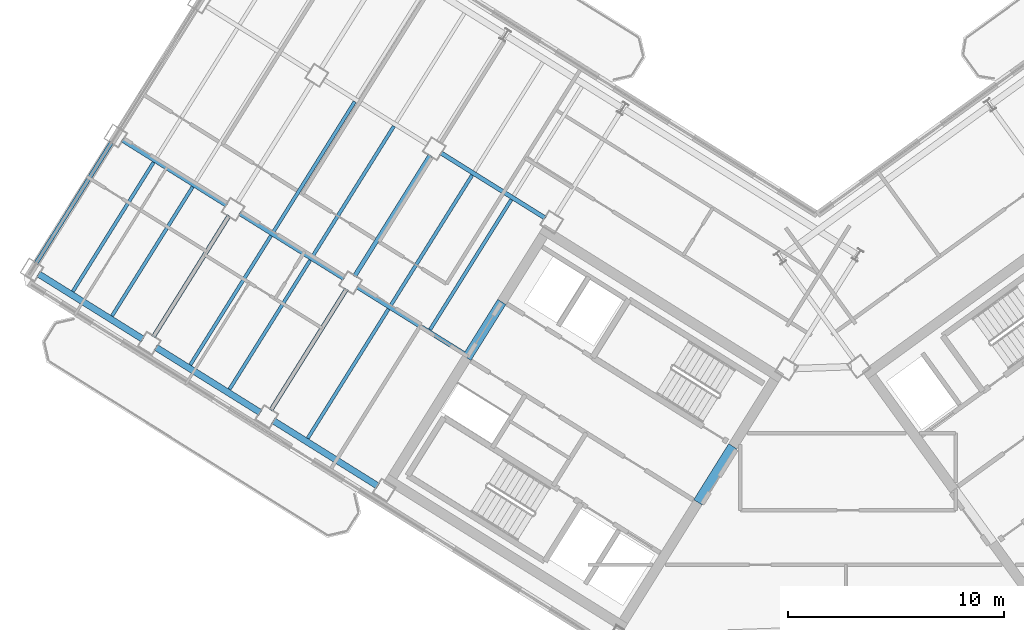
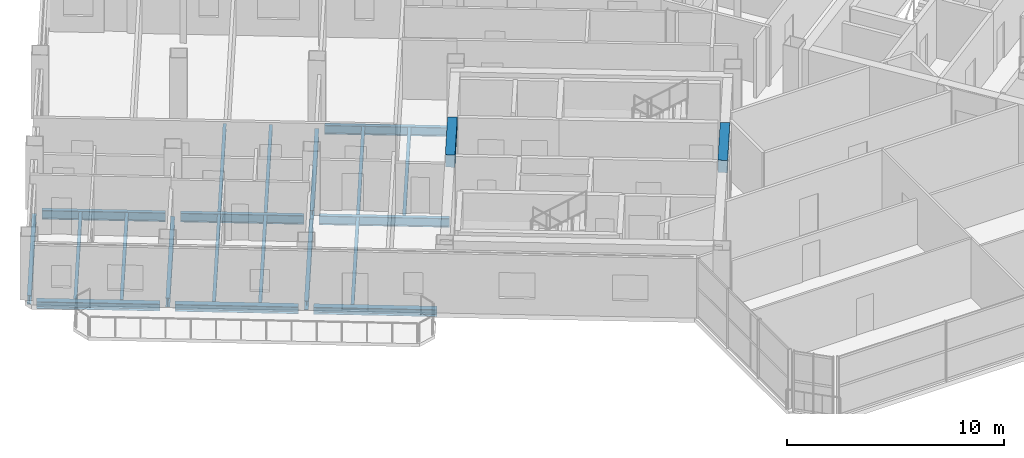
# One storey, part 5 of 21: 22 beams.
"""IFC4 building model written with IfcOpenShell, lengths in metres."""

from ifc_helpers import new_model, si_unit, direction, frame, origin, origin_2d, place, context, subcontext, project, spatial, rectangle, i_section, extrude, source, transform, mapped, material, material_profile, profile_set, type_object, element, save


model = new_model("IFC4")

# Units and contexts
model_context = context("Model", 3, precision=1e-05, world=origin(), true_north=direction((0.0, 1.0)))
body_context = subcontext(model_context, "Body", "Model", "MODEL_VIEW")
ifc_project = project(units=[si_unit("LENGTHUNIT", "METRE"), si_unit("AREAUNIT", "SQUARE_METRE"), si_unit("VOLUMEUNIT", "CUBIC_METRE"), si_unit("PLANEANGLEUNIT", "RADIAN"), si_unit("MASSUNIT", "GRAM", prefix="KILO")], contexts=[model_context])

# Site, building, storey
site_placement = place(None, origin())
site = spatial("IfcSite", under=ifc_project, at=site_placement, CompositionType="ELEMENT")
building_placement = place(site_placement, origin())
building = spatial("IfcBuilding", under=site, at=building_placement, Name="Tlacorven Tower", CompositionType="ELEMENT")
storey_placement = place(building_placement, frame((0.0, 0.0, 207.60009765625)))
storey = spatial("IfcBuildingStorey", under=building, at=storey_placement, Name="L52", CompositionType="ELEMENT", Elevation=207.60009765625)

# Beams
ifc_material_1 = material(Name="Concrete C60/75", Category="concrete")
ifc_material_profile_1 = material_profile(ifc_material_1, rectangle(XDim=0.449951171875, YDim=0.699951171875, at=origin_2d()), Name="RC 450X700")
ifc_profile_set_1 = profile_set([ifc_material_profile_1], Name="Concrete C60/75")
beam_type_1 = type_object("IfcBeamType", Name="BM-LNT-700", PredefinedType="LINTEL", material=ifc_profile_set_1)
shared_shape_1 = source(origin(), body_context, "Body", "SweptSolid", [
    extrude(rectangle(XDim=0.449951171875, YDim=0.699951171875, at=origin_2d()), origin(), (0.0, 0.0, 1.0), 3.050048828125),
])
beam_1_placement = place(storey_placement, frame((38.2998046875, 20.890625, 3.0), z_axis=(-0.529984549635, -0.848007297815, 0.0), x_axis=(0.848007297815, -0.529984549635, 0.0)))
element("IfcBeam", 1, at=beam_1_placement, inside=storey, type_object=beam_type_1, Name="L52 W core coupling lintel beam E1", PredefinedType="LINTEL", context=body_context, shape_type="MappedRepresentation", body=[
    mapped(shared_shape_1, transform((0.0, 0.0, 0.0), scale=1.0)),
])
shared_shape_2 = source(origin(), body_context, "Body", "SweptSolid", [
    extrude(rectangle(XDim=0.449951171875, YDim=0.699951171875, at=origin_2d()), origin(), (0.0, 0.0, 1.0), 3.0498046875),
])
beam_2_placement = place(storey_placement, frame((27.622802734375, 27.562255859375, 3.0), z_axis=(-0.529926983584, -0.848043272522, 0.0), x_axis=(0.848043272522, -0.529926983584, 0.0)))
element("IfcBeam", 2, at=beam_2_placement, inside=storey, type_object=beam_type_1, Name="L52 W core coupling lintel beam E2", PredefinedType="LINTEL", context=body_context, shape_type="MappedRepresentation", body=[
    mapped(shared_shape_2, transform((0.0, 0.0, 0.0), scale=1.0)),
])
ifc_material_2 = material(Name="Steel S355J2", Category="steel")
ifc_material_profile_2 = material_profile(ifc_material_2, i_section(OverallWidth=0.199951171875, OverallDepth=0.5, WebThickness=0.01025390625, FlangeThickness=0.01611328125, at=origin_2d()), Name="IPE 500")
ifc_profile_set_2 = profile_set([ifc_material_profile_2], Name="Steel S355J2")
beam_type_2 = type_object("IfcBeamType", Name="BM-TWR-500", PredefinedType="BEAM", material=ifc_profile_set_2)
shared_shape_3 = source(origin(), body_context, "Body", "SweptSolid", [
    extrude(i_section(OverallWidth=0.199951171875, OverallDepth=0.5, WebThickness=0.01025390625, FlangeThickness=0.01611328125, at=origin_2d()), origin(), (0.0, 0.0, 1.0), 6.010009765625),
])
beam_3_placement = place(storey_placement, frame((26.025634765625, 25.081787109375, -0.5), z_axis=(-0.848043944584, 0.529925908081, 0.0), x_axis=(-0.529925908081, -0.848043944584, 0.0)))
element("IfcBeam", 3, at=beam_3_placement, inside=storey, type_object=beam_type_2, Name="L52 beam BM-L52-WL3-3", PredefinedType="BEAM", context=body_context, shape_type="MappedRepresentation", body=[
    mapped(shared_shape_3, transform((0.0, 0.0, 0.0), scale=1.0)),
])
shared_shape_4 = source(origin(), body_context, "Body", "SweptSolid", [
    extrude(i_section(OverallWidth=0.199951171875, OverallDepth=0.5, WebThickness=0.01025390625, FlangeThickness=0.01611328125, at=origin_2d()), origin(), (0.0, 0.0, 1.0), 5.7001953125),
])
for number, where, z_axis, x_axis, name in (
    (4, (20.335205078125, 28.637451171875, -0.5), (-0.848036800771, 0.529937340199, 0.0), (-0.529937340199, -0.848036800771, 0.0), "L52 beam BM-L52-WL3-4"),
    (5, (14.90771484375, 32.029052734375, -0.5), (-0.848056048787, 0.529906537151, 0.0), (-0.529906537151, -0.848056048787, 0.0), "L52 beam BM-L52-WL3-5"),
):
    element("IfcBeam", number, at=place(storey_placement, frame(where, z_axis=z_axis, x_axis=x_axis)), inside=storey, type_object=beam_type_2, Name=name, PredefinedType="BEAM", context=body_context, shape_type="MappedRepresentation", body=[
        mapped(shared_shape_4, transform((0.0, 0.0, 0.0), scale=1.0)),
    ])
shared_shape_5 = source(origin(), body_context, "Body", "SweptSolid", [
    extrude(i_section(OverallWidth=0.199951171875, OverallDepth=0.5, WebThickness=0.01025390625, FlangeThickness=0.01611328125, at=origin_2d()), origin(), (0.0, 0.0, 1.0), 5.699951171875),
])
beam_4_placement = place(storey_placement, frame((29.631103515625, 31.436767578125, -0.5), z_axis=(-0.848044021115, 0.529925785607, 0.0), x_axis=(-0.529925785607, -0.848044021115, 0.0)))
element("IfcBeam", 6, at=beam_4_placement, inside=storey, type_object=beam_type_2, Name="L52 beam BM-L52-WL2-3", PredefinedType="BEAM", context=body_context, shape_type="MappedRepresentation", body=[
    mapped(shared_shape_5, transform((0.0, 0.0, 0.0), scale=1.0)),
])
shared_shape_6 = source(origin(), body_context, "Body", "SweptSolid", [
    extrude(i_section(OverallWidth=0.199951171875, OverallDepth=0.5, WebThickness=0.01025390625, FlangeThickness=0.01611328125, at=origin_2d()), origin(), (0.0, 0.0, 1.0), 6.599853515625),
])
beam_5_placement = place(storey_placement, frame((24.31494140625, 34.345947265625, -0.5), z_axis=(-0.529942412256, -0.848033631227, 0.0), x_axis=(0.848033631227, -0.529942412256, 0.0)))
element("IfcBeam", 7, at=beam_5_placement, inside=storey, type_object=beam_type_2, Name="L52 beam BM-L52-WT4-2", PredefinedType="BEAM", context=body_context, shape_type="MappedRepresentation", body=[
    mapped(shared_shape_6, transform((0.0, 0.0, 0.0), scale=1.0)),
])
shared_shape_7 = source(origin(), body_context, "Body", "SweptSolid", [
    extrude(i_section(OverallWidth=0.199951171875, OverallDepth=0.5, WebThickness=0.01025390625, FlangeThickness=0.01611328125, at=origin_2d()), origin(), (0.0, 0.0, 1.0), 6.60009765625),
])
for number, where, z_axis, x_axis, name in (
    (8, (20.446533203125, 28.1552734375, -0.5), (-0.529925788294, -0.848044019436, 0.0), (0.848044019436, -0.529925788294, 0.0), "L52 beam BM-L52-WT4-3"),
    (9, (15.01904296875, 31.546875, -0.5), (-0.529925788294, -0.848044019436, 0.0), (0.848044019436, -0.529925788294, 0.0), "L52 beam BM-L52-WT5-3"),
    (10, (9.591552734375, 34.938232421875, -0.5), (-0.529925788294, -0.848044019436, 0.0), (0.848044019436, -0.529925788294, 0.0), "L52 beam BM-L52-WT6-3"),
):
    element("IfcBeam", number, at=place(storey_placement, frame(where, z_axis=z_axis, x_axis=x_axis)), inside=storey, type_object=beam_type_2, Name=name, PredefinedType="BEAM", context=body_context, shape_type="MappedRepresentation", body=[
        mapped(shared_shape_7, transform((0.0, 0.0, 0.0), scale=1.0)),
    ])
ifc_material_profile_3 = material_profile(ifc_material_2, i_section(OverallWidth=0.159912109375, OverallDepth=0.330078125, WebThickness=0.007568359375, FlangeThickness=0.011474609375, at=origin_2d()), Name="IPE 330")
ifc_profile_set_3 = profile_set([ifc_material_profile_3], Name="Steel S355J2")
beam_type_3 = type_object("IfcBeamType", Name="BM-JST-330", PredefinedType="JOIST", material=ifc_profile_set_3)
shared_shape_8 = source(origin(), body_context, "Body", "SweptSolid", [
    extrude(i_section(OverallWidth=0.159912109375, OverallDepth=0.330078125, WebThickness=0.007568359375, FlangeThickness=0.011474609375, at=origin_2d()), origin(), (0.0, 0.0, 1.0), 7.0400390625),
])
for number, where, z_axis, x_axis, name in (
    (11, (18.767333984375, 29.493408203125, -0.4150390625), (-0.529930359501, -0.848041162963, 0.0), (0.848041162963, -0.529930359501, 0.0), "L52 beam BM-L52-WJ4-3-1"),
    (12, (16.9580078125, 30.6240234375, -0.4150390625), (-0.529930359501, -0.848041162963, 0.0), (0.848041162963, -0.529930359501, 0.0), "L52 beam BM-L52-WJ4-3-2"),
    (13, (13.33984375, 32.885009765625, -0.4150390625), (-0.529930359501, -0.848041162963, 0.0), (0.848041162963, -0.529930359501, 0.0), "L52 beam BM-L52-WJ5-3-1"),
):
    element("IfcBeam", number, at=place(storey_placement, frame(where, z_axis=z_axis, x_axis=x_axis)), inside=storey, type_object=beam_type_3, Name=name, PredefinedType="JOIST", context=body_context, shape_type="MappedRepresentation", body=[
        mapped(shared_shape_8, transform((0.0, 0.0, 0.0), scale=1.0)),
    ])
shared_shape_9 = source(origin(), body_context, "Body", "SweptSolid", [
    extrude(i_section(OverallWidth=0.159912109375, OverallDepth=0.330078125, WebThickness=0.007568359375, FlangeThickness=0.011474609375, at=origin_2d()), origin(), (0.0, 0.0, 1.0), 7.090087890625),
])
for number, where, z_axis, x_axis, name in (
    (14, (28.063232421875, 32.292724609375, -0.4150390625), (-0.529912270669, -0.84805246618, 0.0), (0.84805246618, -0.529912270669, 0.0), "L52 beam BM-L52-WJ3-2-1"),
    (15, (26.25390625, 33.42333984375, -0.4150390625), (-0.529912270669, -0.84805246618, 0.0), (0.84805246618, -0.529912270669, 0.0), "L52 beam BM-L52-WJ3-2-2"),
    (16, (22.6357421875, 35.684326171875, -0.4150390625), (-0.529937035031, -0.848036991471, 0.0), (0.848036991471, -0.529937035031, 0.0), "L52 beam BM-L52-WJ4-2-1"),
):
    element("IfcBeam", number, at=place(storey_placement, frame(where, z_axis=z_axis, x_axis=x_axis)), inside=storey, type_object=beam_type_3, Name=name, PredefinedType="JOIST", context=body_context, shape_type="MappedRepresentation", body=[
        mapped(shared_shape_9, transform((0.0, 0.0, 0.0), scale=1.0)),
    ])
shared_shape_10 = source(origin(), body_context, "Body", "SweptSolid", [
    extrude(i_section(OverallWidth=0.159912109375, OverallDepth=0.330078125, WebThickness=0.007568359375, FlangeThickness=0.011474609375, at=origin_2d()), origin(), (0.0, 0.0, 1.0), 7.08984375),
])
beam_6_placement = place(storey_placement, frame((20.826416015625, 36.814697265625, -0.4150390625), z_axis=(-0.529927745663, -0.848042796312, 0.0), x_axis=(0.848042796312, -0.529927745663, 0.0)))
element("IfcBeam", 17, at=beam_6_placement, inside=storey, type_object=beam_type_3, Name="L52 beam BM-L52-WJ4-2-2", PredefinedType="JOIST", context=body_context, shape_type="MappedRepresentation", body=[
    mapped(shared_shape_10, transform((0.0, 0.0, 0.0), scale=1.0)),
])
shared_shape_11 = source(origin(), body_context, "Body", "SweptSolid", [
    extrude(i_section(OverallWidth=0.159912109375, OverallDepth=0.330078125, WebThickness=0.007568359375, FlangeThickness=0.011474609375, at=origin_2d()), origin(), (0.0, 0.0, 1.0), 7.040283203125),
])
for number, where, z_axis, x_axis, name in (
    (18, (22.385498046875, 27.232666015625, -0.4150390625), (-0.529914775015, -0.848050901315, 0.0), (0.848050901315, -0.529914775015, 0.0), "L52 beam BM-L52-WJ3-3-2"),
    (19, (11.530517578125, 34.015625, -0.4150390625), (-0.529914775015, -0.848050901315, 0.0), (0.848050901315, -0.529914775015, 0.0), "L52 beam BM-L52-WJ5-3-2"),
):
    element("IfcBeam", number, at=place(storey_placement, frame(where, z_axis=z_axis, x_axis=x_axis)), inside=storey, type_object=beam_type_3, Name=name, PredefinedType="JOIST", context=body_context, shape_type="MappedRepresentation", body=[
        mapped(shared_shape_11, transform((0.0, 0.0, 0.0), scale=1.0)),
    ])
ifc_material_profile_4 = material_profile(ifc_material_2, i_section(OverallWidth=0.300048828125, OverallDepth=0.389892578125, WebThickness=0.010986328125, FlangeThickness=0.01904296875, at=origin_2d()), Name="HEA 400")
ifc_profile_set_4 = profile_set([ifc_material_profile_4], Name="Steel S355J2")
beam_type_4 = type_object("IfcBeamType", Name="BM-SPN-400", PredefinedType="SPANDREL", material=ifc_profile_set_4)
shared_shape_12 = source(origin(), body_context, "Body", "SweptSolid", [
    extrude(i_section(OverallWidth=0.300048828125, OverallDepth=0.389892578125, WebThickness=0.010986328125, FlangeThickness=0.01904296875, at=origin_2d()), origin(), (0.0, 0.0, 1.0), 5.699951171875),
])
beam_7_placement = place(storey_placement, frame((21.894287109375, 19.055419921875, -0.445068359375), z_axis=(-0.848044021115, 0.529925785607, 0.0), x_axis=(-0.529925785607, -0.848044021115, 0.0)))
element("IfcBeam", 20, at=beam_7_placement, inside=storey, type_object=beam_type_4, Name="L52 beam BM-L52-WL4-3", PredefinedType="SPANDREL", context=body_context, shape_type="MappedRepresentation", body=[
    mapped(shared_shape_12, transform((0.0, 0.0, 0.0), scale=1.0)),
])
shared_shape_13 = source(origin(), body_context, "Body", "SweptSolid", [
    extrude(i_section(OverallWidth=0.300048828125, OverallDepth=0.389892578125, WebThickness=0.010986328125, FlangeThickness=0.01904296875, at=origin_2d()), origin(), (0.0, 0.0, 1.0), 5.7001953125),
])
for number, where, z_axis, x_axis, name in (
    (21, (16.466796875, 22.44677734375, -0.445068359375), (-0.848056048787, 0.529906537151, 0.0), (-0.529906537151, -0.848056048787, 0.0), "L52 beam BM-L52-WL4-4"),
    (22, (11.039306640625, 25.83837890625, -0.445068359375), (-0.848056048787, 0.529906537151, 0.0), (-0.529906537151, -0.848056048787, 0.0), "L52 beam BM-L52-WL4-5"),
):
    element("IfcBeam", number, at=place(storey_placement, frame(where, z_axis=z_axis, x_axis=x_axis)), inside=storey, type_object=beam_type_4, Name=name, PredefinedType="SPANDREL", context=body_context, shape_type="MappedRepresentation", body=[
        mapped(shared_shape_13, transform((0.0, 0.0, 0.0), scale=1.0)),
    ])

save(model, "model.ifc")
